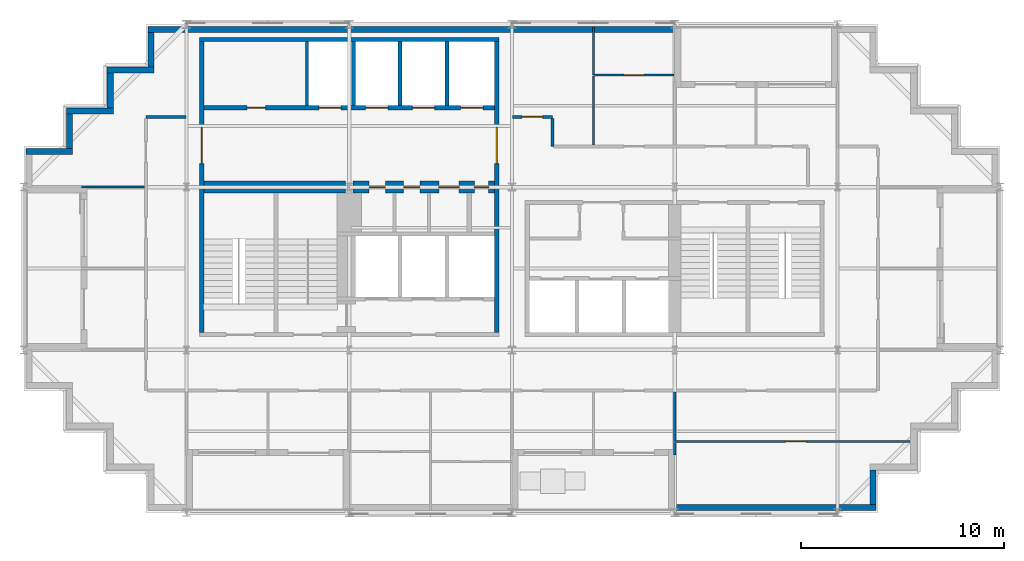
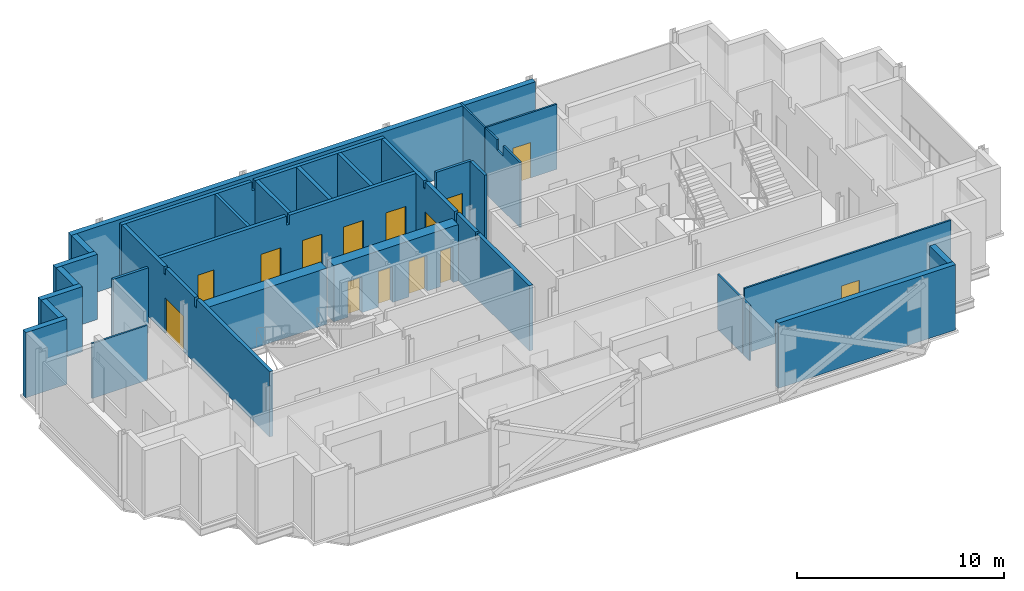
# One storey, part 6 of 10: 29 walls, 14 doors, 14 openings.
"""IFC4 building model written with IfcOpenShell, lengths in metres."""

from ifc_helpers import new_model, si_unit, direction, frame, frame_2d, origin, place, context, subcontext, project, spatial, polyline, rectangle, outline, extrude, material, layer, layer_set, type_object, element, fill, save


model = new_model("IFC4")

# Units and contexts
model_context = context("Model", 3, precision=1e-05, world=origin(), true_north=direction((0.0, 1.0)))
body_context = subcontext(model_context, "Body", "Model", "MODEL_VIEW")
ifc_project = project(units=[si_unit("LENGTHUNIT", "METRE"), si_unit("AREAUNIT", "SQUARE_METRE"), si_unit("VOLUMEUNIT", "CUBIC_METRE"), si_unit("PLANEANGLEUNIT", "RADIAN"), si_unit("MASSUNIT", "GRAM", prefix="KILO")], contexts=[model_context])

# Site, building, storey
site_placement = place(None, origin())
site = spatial("IfcSite", under=ifc_project, at=site_placement, CompositionType="ELEMENT")
building_placement = place(site_placement, origin())
building = spatial("IfcBuilding", under=site, at=building_placement, Name="Immortelle Media Tower", CompositionType="ELEMENT")
storey_placement = place(building_placement, frame((0.0, 0.0, 275.0)))
storey = spatial("IfcBuildingStorey", under=building, at=storey_placement, Name="L60", CompositionType="ELEMENT", Elevation=275.0)

# Wall, openings, doors
ifc_material_1 = material(Name="Fire-rated masonry blockwork", Category="masonry")
ifc_layer_1 = layer(ifc_material_1, 0.60009765625)
ifc_layer_set_1 = layer_set([ifc_layer_1], Name="Fire-rated masonry blockwork")
wall_type_1 = type_object("IfcWallType", Name="Core grid-line wall 600", PredefinedType="PARTITIONING", material=ifc_layer_set_1)
wall_1_placement = place(storey_placement, frame((16.19140625, 16.0, 0.0), z_axis=(0.0, 0.0, 1.0), x_axis=(1.0, 0.0, 0.0)))
wall_1 = element("IfcWall", 1, at=wall_1_placement, inside=storey, type_object=wall_type_1, Name="Core grid-line wall SW", PredefinedType="PARTITIONING", context=body_context, shape_type="SweptSolid", body=[
    extrude(rectangle(XDim=6.95849609375, YDim=0.60009765625, at=frame_2d((3.479248046875, 0.0))), origin(), (0.0, 0.0, 1.0), 3.318115234375),
])
opening_1_placement = place(wall_1_placement, frame((1.58349609375, 0.0, 0.0), z_axis=(0.0, 0.0, 1.0), x_axis=(-1.0, 0.0, 0.0)))
opening_1 = element("IfcOpeningElement", 2, at=opening_1_placement, cuts=wall_1, Name="Opening X4-K009", PredefinedType="OPENING", context=body_context, shape_type="SweptSolid", body=[
    extrude(rectangle(XDim=0.800048828125, YDim=2.10009765625, at=frame_2d((0.39990234375, 1.050048828125))), frame((0.0, 0.31005859375, 0.0), z_axis=(0.0, -1.0, 0.0), x_axis=(1.0, 0.0, 0.0)), (0.0, 0.0, 1.0), 0.6201171875),
])
opening_2_placement = place(wall_1_placement, frame((3.283447265625, 0.0, 0.0), z_axis=(0.0, 0.0, 1.0), x_axis=(-1.0, 0.0, 0.0)))
opening_2 = element("IfcOpeningElement", 3, at=opening_2_placement, cuts=wall_1, Name="Opening X4-K010", PredefinedType="OPENING", context=body_context, shape_type="SweptSolid", body=[
    extrude(rectangle(XDim=0.800048828125, YDim=2.10009765625, at=frame_2d((0.39990234375, 1.050048828125))), frame((0.0, 0.31005859375, 0.0), z_axis=(0.0, -1.0, 0.0), x_axis=(1.0, 0.0, 0.0)), (0.0, 0.0, 1.0), 0.6201171875),
])
opening_3_placement = place(wall_1_placement, frame((5.20849609375, 0.0, 0.0), z_axis=(0.0, 0.0, 1.0), x_axis=(-1.0, 0.0, 0.0)))
opening_3 = element("IfcOpeningElement", 4, at=opening_3_placement, cuts=wall_1, Name="Opening X4-K014", PredefinedType="OPENING", context=body_context, shape_type="SweptSolid", body=[
    extrude(rectangle(XDim=1.0, YDim=2.10009765625, at=frame_2d((0.5, 1.050048828125))), frame((0.0, 0.31005859375, 0.0), z_axis=(0.0, -1.0, 0.0), x_axis=(1.0, 0.0, 0.0)), (0.0, 0.0, 1.0), 0.6201171875),
])
opening_4_placement = place(wall_1_placement, frame((6.658447265625, 0.0, 0.0), z_axis=(0.0, 0.0, 1.0), x_axis=(-1.0, 0.0, 0.0)))
opening_4 = element("IfcOpeningElement", 5, at=opening_4_placement, cuts=wall_1, Name="Opening X4-K017", PredefinedType="OPENING", context=body_context, shape_type="SweptSolid", body=[
    extrude(rectangle(XDim=0.699951171875, YDim=2.10009765625, at=frame_2d((0.35009765625, 1.050048828125))), frame((0.0, 0.31005859375, 0.0), z_axis=(0.0, -1.0, 0.0), x_axis=(1.0, 0.0, 0.0)), (0.0, 0.0, 1.0), 0.6201171875),
])
ifc_material_2 = material(Name="Timber", Category="wood")
door_type_1 = type_object("IfcDoorType", Name="Accessible toilet door 1000 x 2100", OperationType="NOTDEFINED", PredefinedType="NOTDEFINED", material=ifc_material_2)
door_1_placement = place(opening_3_placement, origin())
door_1 = element("IfcDoor", 6, at=door_1_placement, inside=storey, type_object=door_type_1, Name="Accessible toilet X4-K014", OperationType="SINGLE_SWING_RIGHT", OverallHeight=2.10009765625, OverallWidth=1.0, PredefinedType="NOTDEFINED", context=body_context, shape_type="SweptSolid", body=[
    extrude(rectangle(XDim=1.0, YDim=2.10009765625, at=frame_2d((0.5, 1.050048828125))), frame((0.0, 0.02490234375, 0.0), z_axis=(0.0, -1.0, 0.0), x_axis=(1.0, 0.0, 0.0)), (0.0, 0.0, 1.0), 0.050048828125),
])
fill(opening_3, door_1)
ifc_material_3 = material(Name="Galvanised steel door leaf and frame ASTM A653", Category="steel")
door_type_2 = type_object("IfcDoorType", Name="Service door 700 x 2100", OperationType="NOTDEFINED", PredefinedType="NOTDEFINED", material=ifc_material_3)
door_2_placement = place(opening_4_placement, origin())
door_2 = element("IfcDoor", 7, at=door_2_placement, inside=storey, type_object=door_type_2, Name="Service X4-K017", OperationType="SINGLE_SWING_LEFT", OverallHeight=2.10009765625, OverallWidth=0.699951171875, PredefinedType="NOTDEFINED", context=body_context, shape_type="SweptSolid", body=[
    extrude(rectangle(XDim=0.699951171875, YDim=2.10009765625, at=frame_2d((0.35009765625, 1.050048828125))), frame((0.0, 0.02490234375, 0.0), z_axis=(0.0, -1.0, 0.0), x_axis=(1.0, 0.0, 0.0)), (0.0, 0.0, 1.0), 0.050048828125),
])
fill(opening_4, door_2)
door_type_3 = type_object("IfcDoorType", Name="Toilet door 800 x 2100", OperationType="NOTDEFINED", PredefinedType="NOTDEFINED", material=ifc_material_2)
door_3_placement = place(opening_1_placement, origin())
door_3 = element("IfcDoor", 8, at=door_3_placement, inside=storey, type_object=door_type_3, Name="Toilet X4-K009", OperationType="SINGLE_SWING_LEFT", OverallHeight=2.10009765625, OverallWidth=0.800048828125, PredefinedType="NOTDEFINED", context=body_context, shape_type="SweptSolid", body=[
    extrude(rectangle(XDim=0.800048828125, YDim=2.10009765625, at=frame_2d((0.39990234375, 1.050048828125))), frame((0.0, 0.02490234375, 0.0), z_axis=(0.0, -1.0, 0.0), x_axis=(1.0, 0.0, 0.0)), (0.0, 0.0, 1.0), 0.050048828125),
])
fill(opening_1, door_3)
door_4_placement = place(opening_2_placement, origin())
door_4 = element("IfcDoor", 9, at=door_4_placement, inside=storey, type_object=door_type_3, Name="Toilet X4-K010", OperationType="SINGLE_SWING_RIGHT", OverallHeight=2.10009765625, OverallWidth=0.800048828125, PredefinedType="NOTDEFINED", context=body_context, shape_type="SweptSolid", body=[
    extrude(rectangle(XDim=0.800048828125, YDim=2.10009765625, at=frame_2d((0.39990234375, 1.050048828125))), frame((0.0, 0.02490234375, 0.0), z_axis=(0.0, -1.0, 0.0), x_axis=(1.0, 0.0, 0.0)), (0.0, 0.0, 1.0), 0.050048828125),
])
fill(opening_2, door_4)

# Walls
ifc_material_4 = material(Name="Fire-rated gypsum board", Category="gypsum")
ifc_layer_2 = layer(ifc_material_4, 0.02490234375)
ifc_material_5 = material(Name="Steel ASTM A653 SS Gr 50 stud frame with mineral wool", Category="steel")
ifc_layer_3 = layer(ifc_material_5, 0.10009765625)
ifc_layer_4 = layer(ifc_material_4, 0.02490234375)
ifc_layer_set_2 = layer_set([ifc_layer_2, ifc_layer_3, ifc_layer_4], Name="Steel ASTM A653 SS Gr 50 stud frame with mineral wool")
wall_type_2 = type_object("IfcWallType", Name="Core partition 150", PredefinedType="PARTITIONING", material=ifc_layer_set_2)
wall_2_placement = place(storey_placement, frame((13.925048828125, 20.0, 0.0), z_axis=(0.0, 0.0, 1.0), x_axis=(0.0, 1.0, 0.0)))
element("IfcWall", 10, at=wall_2_placement, inside=storey, type_object=wall_type_2, Name="Core partition SW", PredefinedType="PARTITIONING", context=body_context, shape_type="SweptSolid", body=[
    extrude(rectangle(XDim=3.14990234375, YDim=0.14990234375, at=frame_2d((1.574951171875, 0.0))), origin(), (0.0, 0.0, 1.0), 3.85009765625),
])
ifc_layer_5 = layer(ifc_material_4, 0.03759765625)
ifc_layer_6 = layer(ifc_material_5, 0.125)
ifc_layer_7 = layer(ifc_material_4, 0.03759765625)
ifc_layer_set_3 = layer_set([ifc_layer_5, ifc_layer_6, ifc_layer_7], Name="Steel ASTM A653 SS Gr 50 stud frame with mineral wool")
wall_type_3 = type_object("IfcWallType", Name="Core shaft wall 200", PredefinedType="PARTITIONING", material=ifc_layer_set_3)
wall_3_placement = place(storey_placement, frame((8.64990234375, 23.25, 0.0), z_axis=(0.0, 0.0, 1.0), x_axis=(1.0, 0.0, 0.0)))
element("IfcWall", 11, at=wall_3_placement, inside=storey, type_object=wall_type_3, Name="Core shaft wall SW", PredefinedType="PARTITIONING", context=body_context, shape_type="SweptSolid", body=[
    extrude(outline(polyline([(0.0, 0.0), (14.7001953125, 0.0), (14.699951171875, 3.85009765625), (7.4375, 3.85009765625), (7.4365234375, 3.318115234375), (7.263427734375, 3.318115234375), (7.262451171875, 3.85009765625), (0.0, 3.85009765625), (0.0, 0.0)])), frame((0.0, 0.10009765625, 0.0), z_axis=(0.0, -1.0, 0.0), x_axis=(1.0, 0.0, 0.0)), (0.0, 0.0, 1.0), 0.199951171875),
])

# Wall, openings, doors
wall_4_placement = place(storey_placement, frame((8.85009765625, 19.89990234375, 0.0), z_axis=(0.0, 0.0, 1.0), x_axis=(1.0, 0.0, 0.0)))
wall_4 = element("IfcWall", 12, at=wall_4_placement, inside=storey, type_object=wall_type_3, Name="Core shaft wall SW", PredefinedType="PARTITIONING", context=body_context, shape_type="SweptSolid", body=[
    extrude(outline(polyline([(0.0, 0.0), (14.2998046875, 0.0), (14.300048828125, 3.85009765625), (7.237548828125, 3.85009765625), (7.236572265625, 3.318115234375), (7.0634765625, 3.318115234375), (7.0625, 3.85009765625), (0.0, 3.85009765625), (0.0, 0.0)])), frame((0.0, 0.10009765625, 0.0), z_axis=(0.0, -1.0, 0.0), x_axis=(1.0, 0.0, 0.0)), (0.0, 0.0, 1.0), 0.199951171875),
])
opening_5_placement = place(wall_4_placement, frame((2.125, 0.0, 0.0)))
opening_5 = element("IfcOpeningElement", 13, at=opening_5_placement, cuts=wall_4, Name="Opening X4-K003", PredefinedType="OPENING", context=body_context, shape_type="SweptSolid", body=[
    extrude(rectangle(XDim=0.89990234375, YDim=2.10009765625, at=frame_2d((0.449951171875, 1.050048828125))), frame((0.0, 0.10986328125, 0.0), z_axis=(0.0, -1.0, 0.0), x_axis=(1.0, 0.0, 0.0)), (0.0, 0.0, 1.0), 0.219970703125),
])
opening_6_placement = place(wall_4_placement, frame((5.64990234375, 0.0, 0.0)))
opening_6 = element("IfcOpeningElement", 14, at=opening_6_placement, cuts=wall_4, Name="Opening LD", PredefinedType="OPENING", context=body_context, shape_type="SweptSolid", body=[
    extrude(rectangle(XDim=1.10009765625, YDim=2.10009765625, at=frame_2d((0.550048828125, 1.050048828125))), frame((0.0, 0.10986328125, 0.0), z_axis=(0.0, -1.0, 0.0), x_axis=(1.0, 0.0, 0.0)), (0.0, 0.0, 1.0), 0.219970703125),
])
opening_7_placement = place(wall_4_placement, frame((7.949951171875, 0.0, 0.0)))
opening_7 = element("IfcOpeningElement", 15, at=opening_7_placement, cuts=wall_4, Name="Opening LD", PredefinedType="OPENING", context=body_context, shape_type="SweptSolid", body=[
    extrude(rectangle(XDim=1.10009765625, YDim=2.10009765625, at=frame_2d((0.550048828125, 1.050048828125))), frame((0.0, 0.10986328125, 0.0), z_axis=(0.0, -1.0, 0.0), x_axis=(1.0, 0.0, 0.0)), (0.0, 0.0, 1.0), 0.219970703125),
])
opening_8_placement = place(wall_4_placement, frame((10.25, 0.0, 0.0)))
opening_8 = element("IfcOpeningElement", 16, at=opening_8_placement, cuts=wall_4, Name="Opening LD", PredefinedType="OPENING", context=body_context, shape_type="SweptSolid", body=[
    extrude(rectangle(XDim=1.10009765625, YDim=2.10009765625, at=frame_2d((0.550048828125, 1.050048828125))), frame((0.0, 0.10986328125, 0.0), z_axis=(0.0, -1.0, 0.0), x_axis=(1.0, 0.0, 0.0)), (0.0, 0.0, 1.0), 0.219970703125),
])
opening_9_placement = place(wall_4_placement, frame((12.625, 0.0, 0.0)))
opening_9 = element("IfcOpeningElement", 17, at=opening_9_placement, cuts=wall_4, Name="Opening LD", PredefinedType="OPENING", context=body_context, shape_type="SweptSolid", body=[
    extrude(rectangle(XDim=1.10009765625, YDim=2.10009765625, at=frame_2d((0.550048828125, 1.050048828125))), frame((0.0, 0.10986328125, 0.0), z_axis=(0.0, -1.0, 0.0), x_axis=(1.0, 0.0, 0.0)), (0.0, 0.0, 1.0), 0.219970703125),
])
ifc_material_6 = material(Name="Stainless steel AISI 304", Category="steel")
door_type_4 = type_object("IfcDoorType", Name="Landing door 1100 x 2100", OperationType="SLIDING_TO_LEFT", PredefinedType="NOTDEFINED", material=ifc_material_6)
door_5_placement = place(opening_6_placement, origin())
door_5 = element("IfcDoor", 18, at=door_5_placement, inside=storey, type_object=door_type_4, Name="Landing door HR1 L60", OperationType="SLIDING_TO_LEFT", OverallHeight=2.10009765625, OverallWidth=1.10009765625, PredefinedType="NOTDEFINED", context=body_context, shape_type="SweptSolid", body=[
    extrude(rectangle(XDim=1.10009765625, YDim=2.10009765625, at=frame_2d((0.550048828125, 1.050048828125))), frame((0.0, 0.02490234375, 0.0), z_axis=(0.0, -1.0, 0.0), x_axis=(1.0, 0.0, 0.0)), (0.0, 0.0, 1.0), 0.050048828125),
])
fill(opening_6, door_5)
door_6_placement = place(opening_7_placement, origin())
door_6 = element("IfcDoor", 19, at=door_6_placement, inside=storey, type_object=door_type_4, Name="Landing door HR2 L60", OperationType="SLIDING_TO_LEFT", OverallHeight=2.10009765625, OverallWidth=1.10009765625, PredefinedType="NOTDEFINED", context=body_context, shape_type="SweptSolid", body=[
    extrude(rectangle(XDim=1.10009765625, YDim=2.10009765625, at=frame_2d((0.550048828125, 1.050048828125))), frame((0.0, 0.02490234375, 0.0), z_axis=(0.0, -1.0, 0.0), x_axis=(1.0, 0.0, 0.0)), (0.0, 0.0, 1.0), 0.050048828125),
])
fill(opening_7, door_6)
door_7_placement = place(opening_8_placement, origin())
door_7 = element("IfcDoor", 20, at=door_7_placement, inside=storey, type_object=door_type_4, Name="Landing door HR3 L60", OperationType="SLIDING_TO_LEFT", OverallHeight=2.10009765625, OverallWidth=1.10009765625, PredefinedType="NOTDEFINED", context=body_context, shape_type="SweptSolid", body=[
    extrude(rectangle(XDim=1.10009765625, YDim=2.10009765625, at=frame_2d((0.550048828125, 1.050048828125))), frame((0.0, 0.02490234375, 0.0), z_axis=(0.0, -1.0, 0.0), x_axis=(1.0, 0.0, 0.0)), (0.0, 0.0, 1.0), 0.050048828125),
])
fill(opening_8, door_7)
door_8_placement = place(opening_9_placement, origin())
door_8 = element("IfcDoor", 21, at=door_8_placement, inside=storey, type_object=door_type_4, Name="Landing door HR4 L60", OperationType="SLIDING_TO_LEFT", OverallHeight=2.10009765625, OverallWidth=1.10009765625, PredefinedType="NOTDEFINED", context=body_context, shape_type="SweptSolid", body=[
    extrude(rectangle(XDim=1.10009765625, YDim=2.10009765625, at=frame_2d((0.550048828125, 1.050048828125))), frame((0.0, 0.02490234375, 0.0), z_axis=(0.0, -1.0, 0.0), x_axis=(1.0, 0.0, 0.0)), (0.0, 0.0, 1.0), 0.050048828125),
])
fill(opening_9, door_8)
door_type_5 = type_object("IfcDoorType", Name="Room door 900 x 2100", OperationType="NOTDEFINED", PredefinedType="NOTDEFINED", material=ifc_material_2)
door_9_placement = place(opening_5_placement, origin())
door_9 = element("IfcDoor", 22, at=door_9_placement, inside=storey, type_object=door_type_5, Name="Room X4-K003", OperationType="SINGLE_SWING_RIGHT", OverallHeight=2.10009765625, OverallWidth=0.89990234375, PredefinedType="NOTDEFINED", context=body_context, shape_type="SweptSolid", body=[
    extrude(rectangle(XDim=0.89990234375, YDim=2.10009765625, at=frame_2d((0.449951171875, 1.050048828125))), frame((0.0, 0.02490234375, 0.0), z_axis=(0.0, -1.0, 0.0), x_axis=(1.0, 0.0, 0.0)), (0.0, 0.0, 1.0), 0.050048828125),
])
fill(opening_5, door_9)

# Walls
for number, where, z_axis, x_axis, name in (
    (23, (16.199951171875, 20.0, 0.0), (0.0, 0.0, 1.0), (0.0, 1.0, 0.0), "Core shaft wall SW"),
    (24, (18.5, 20.0, 0.0), (0.0, 0.0, 1.0), (0.0, 1.0, 0.0), "Core shaft wall SW"),
    (25, (20.800048828125, 20.0, 0.0), (0.0, 0.0, 1.0), (0.0, 1.0, 0.0), "Core shaft wall SW"),
):
    element("IfcWall", number, at=place(storey_placement, frame(where, z_axis=z_axis, x_axis=x_axis)), inside=storey, type_object=wall_type_3, Name=name, PredefinedType="PARTITIONING", context=body_context, shape_type="SweptSolid", body=[
        extrude(rectangle(XDim=3.14990234375, YDim=0.199951171875, at=frame_2d((1.574951171875, 0.0))), origin(), (0.0, 0.0, 1.0), 3.85009765625),
    ])

# Wall, opening, door
wall_5_placement = place(storey_placement, frame((23.25, 8.85009765625, 0.0), z_axis=(0.0, 0.0, 1.0), x_axis=(0.0, 1.0, 0.0)))
wall_5 = element("IfcWall", 26, at=wall_5_placement, inside=storey, type_object=wall_type_3, Name="Core shaft wall SW", PredefinedType="PARTITIONING", context=body_context, shape_type="SweptSolid", body=[
    extrude(outline(polyline([(0.0, 0.0), (14.2998046875, 0.0), (14.300048828125, 3.85009765625), (10.22509765625, 3.85009765625), (10.22412109375, 3.43994140625), (10.075927734375, 3.43994140625), (10.074951171875, 3.85009765625), (7.237548828125, 3.85009765625), (7.236572265625, 3.318115234375), (7.0634765625, 3.318115234375), (7.0625, 3.85009765625), (5.22509765625, 3.85009765625), (5.22412109375, 3.43994140625), (5.075927734375, 3.43994140625), (5.074951171875, 3.85009765625), (0.0, 3.85009765625), (0.0, 0.0)])), frame((0.0, 0.10009765625, 0.0), z_axis=(0.0, -1.0, 0.0), x_axis=(1.0, 0.0, 0.0)), (0.0, 0.0, 1.0), 0.199951171875),
])
opening_10_placement = place(wall_5_placement, frame((8.300048828125, 0.0, 0.0)))
opening_10 = element("IfcOpeningElement", 27, at=opening_10_placement, cuts=wall_5, Name="Opening X4-K018", PredefinedType="OPENING", context=body_context, shape_type="SweptSolid", body=[
    extrude(rectangle(XDim=1.800048828125, YDim=2.10009765625, at=frame_2d((0.89990234375, 1.050048828125))), frame((0.0, 0.10986328125, 0.0), z_axis=(0.0, -1.0, 0.0), x_axis=(1.0, 0.0, 0.0)), (0.0, 0.0, 1.0), 0.219970703125),
])
door_type_6 = type_object("IfcDoorType", Name="Lift lobby door 1800 x 2100", OperationType="DOUBLE_DOOR_SINGLE_SWING", PredefinedType="NOTDEFINED", material=ifc_material_3)
door_10_placement = place(opening_10_placement, origin())
door_10 = element("IfcDoor", 28, at=door_10_placement, inside=storey, type_object=door_type_6, Name="Lift lobby X4-K018", OperationType="DOUBLE_DOOR_SINGLE_SWING", OverallHeight=2.10009765625, OverallWidth=1.800048828125, PredefinedType="NOTDEFINED", context=body_context, shape_type="SweptSolid", body=[
    extrude(rectangle(XDim=1.800048828125, YDim=2.10009765625, at=frame_2d((0.89990234375, 1.050048828125))), frame((0.0, 0.02490234375, 0.0), z_axis=(0.0, -1.0, 0.0), x_axis=(1.0, 0.0, 0.0)), (0.0, 0.0, 1.0), 0.050048828125),
])
fill(opening_10, door_10)

# Walls
ifc_layer_8 = layer(ifc_material_4, 0.012451171875)
ifc_layer_9 = layer(ifc_material_5, 0.125)
ifc_layer_10 = layer(ifc_material_4, 0.012451171875)
ifc_layer_set_4 = layer_set([ifc_layer_8, ifc_layer_9, ifc_layer_10], Name="Steel ASTM A653 SS Gr 50 stud frame with mineral wool")
wall_type_4 = type_object("IfcWallType", Name="Corridor wall 150", PredefinedType="PARTITIONING", material=ifc_layer_set_4)
wall_6_placement = place(storey_placement, frame((26.0, 18.0, 0.0), z_axis=(0.0, 0.0, 1.0), x_axis=(0.0, 1.0, 0.0)))
element("IfcWall", 29, at=wall_6_placement, inside=storey, type_object=wall_type_4, Name="Partition L60-026", PredefinedType="PARTITIONING", context=body_context, shape_type="SweptSolid", body=[
    extrude(rectangle(XDim=1.375, YDim=0.14990234375, at=frame_2d((0.6875, 0.0))), origin(), (0.0, 0.0, 1.0), 3.85009765625),
])
wall_7_placement = place(storey_placement, frame((6.0, 19.449951171875, 0.0), z_axis=(0.0, 0.0, 1.0), x_axis=(1.0, 0.0, 0.0)))
element("IfcWall", 30, at=wall_7_placement, inside=storey, type_object=wall_type_4, Name="Partition L60-032", PredefinedType="PARTITIONING", context=body_context, shape_type="SweptSolid", body=[
    extrude(rectangle(XDim=1.969970703125, YDim=0.14990234375, at=frame_2d((0.98486328125, 0.0))), origin(), (0.0, 0.0, 1.0), 3.85009765625),
])

# Wall, opening, door
wall_8_placement = place(storey_placement, frame((24.030029296875, 19.449951171875, 0.0), z_axis=(0.0, 0.0, 1.0), x_axis=(1.0, 0.0, 0.0)))
wall_8 = element("IfcWall", 31, at=wall_8_placement, inside=storey, type_object=wall_type_4, Name="Partition L60-033", PredefinedType="PARTITIONING", context=body_context, shape_type="SweptSolid", body=[
    extrude(rectangle(XDim=1.969970703125, YDim=0.14990234375, at=frame_2d((0.98486328125, 0.0))), origin(), (0.0, 0.0, 1.0), 3.85009765625),
])
opening_11_placement = place(wall_8_placement, frame((0.469970703125, 0.0, 0.0)))
opening_11 = element("IfcOpeningElement", 32, at=opening_11_placement, cuts=wall_8, Name="Opening X4-F020", PredefinedType="OPENING", context=body_context, shape_type="SweptSolid", body=[
    extrude(rectangle(XDim=1.0, YDim=2.10009765625, at=frame_2d((0.5, 1.050048828125))), frame((0.0, 0.0849609375, 0.0), z_axis=(0.0, -1.0, 0.0), x_axis=(1.0, 0.0, 0.0)), (0.0, 0.0, 1.0), 0.169921875),
])
ifc_material_7 = material(Name="Timber veneered door leaf, galvanised steel frame ASTM A653", Category="steel")
door_type_7 = type_object("IfcDoorType", Name="Room door 1000 x 2100", OperationType="NOTDEFINED", PredefinedType="DOOR", material=ifc_material_7)
door_11_placement = place(opening_11_placement, origin())
door_11 = element("IfcDoor", 33, at=door_11_placement, inside=storey, type_object=door_type_7, Name="Door X4-F020", OperationType="SINGLE_SWING_LEFT", OverallHeight=2.10009765625, OverallWidth=1.0, PredefinedType="DOOR", context=body_context, shape_type="SweptSolid", body=[
    extrude(rectangle(XDim=1.0, YDim=2.10009765625, at=frame_2d((0.5, 1.050048828125))), frame((0.0, 0.02490234375, 0.0), z_axis=(0.0, -1.0, 0.0), x_axis=(1.0, 0.0, 0.0)), (0.0, 0.0, 1.0), 0.050048828125),
])
fill(opening_11, door_11)

# Walls
ifc_material_8 = material(Name="Pale aluminium cladding panel", Category="aluminium")
ifc_layer_11 = layer(ifc_material_8, 0.030029296875)
ifc_layer_12 = layer(ifc_material_5, 0.257568359375)
ifc_material_9 = material(Name="Moisture-resistant gypsum board", Category="gypsum")
ifc_layer_13 = layer(ifc_material_9, 0.012451171875)
ifc_layer_set_5 = layer_set([ifc_layer_11, ifc_layer_12, ifc_layer_13], Name="Steel ASTM A653 SS Gr 50 stud frame with mineral wool")
wall_type_5 = type_object("IfcWallType", Name="Facade wall 300", PredefinedType="SOLIDWALL", material=ifc_layer_set_5)
wall_9_placement = place(storey_placement, frame((32.0, 0.25, 0.0), z_axis=(0.0, 0.0, 1.0), x_axis=(1.0, 0.0, 0.0)))
element("IfcWall", 34, at=wall_9_placement, inside=storey, type_object=wall_type_5, Name="Facade wall L60 S6", PredefinedType="SOLIDWALL", context=body_context, shape_type="SweptSolid", body=[
    extrude(rectangle(XDim=9.89990234375, YDim=0.300048828125, at=frame_2d((4.949951171875, 0.0))), origin(), (0.0, 0.0, 1.0), 3.85009765625),
])
wall_10_placement = place(storey_placement, frame((41.75, 0.39990234375, 0.0), z_axis=(0.0, 0.0, 1.0), x_axis=(0.0, 1.0, 0.0)))
element("IfcWall", 35, at=wall_10_placement, inside=storey, type_object=wall_type_5, Name="Facade wall L60 E7", PredefinedType="SOLIDWALL", context=body_context, shape_type="SweptSolid", body=[
    extrude(rectangle(XDim=1.7001953125, YDim=0.300048828125, at=frame_2d((0.85009765625, 0.0))), origin(), (0.0, 0.0, 1.0), 3.85009765625),
])
wall_11_placement = place(storey_placement, frame((32.0, 23.75, 0.0), z_axis=(0.0, 0.0, 1.0), x_axis=(-1.0, 0.0, 0.0)))
element("IfcWall", 36, at=wall_11_placement, inside=storey, type_object=wall_type_5, Name="Facade wall L60 N20", PredefinedType="SOLIDWALL", context=body_context, shape_type="SweptSolid", body=[
    extrude(rectangle(XDim=25.89990234375, YDim=0.300048828125, at=frame_2d((12.949951171875, 0.0))), origin(), (0.0, 0.0, 1.0), 3.85009765625),
])
wall_12_placement = place(storey_placement, frame((6.25, 23.60009765625, 0.0), z_axis=(0.0, 0.0, 1.0), x_axis=(0.0, -1.0, 0.0)))
element("IfcWall", 37, at=wall_12_placement, inside=storey, type_object=wall_type_5, Name="Facade wall L60 W21", PredefinedType="SOLIDWALL", context=body_context, shape_type="SweptSolid", body=[
    extrude(rectangle(XDim=1.7001953125, YDim=0.300048828125, at=frame_2d((0.85009765625, 0.0))), origin(), (0.0, 0.0, 1.0), 3.85009765625),
])
wall_13_placement = place(storey_placement, frame((6.39990234375, 21.75, 0.0), z_axis=(0.0, 0.0, 1.0), x_axis=(-1.0, 0.0, 0.0)))
element("IfcWall", 38, at=wall_13_placement, inside=storey, type_object=wall_type_5, Name="Facade wall L60 N22", PredefinedType="SOLIDWALL", context=body_context, shape_type="SweptSolid", body=[
    extrude(rectangle(XDim=2.2998046875, YDim=0.300048828125, at=frame_2d((1.14990234375, 0.0))), origin(), (0.0, 0.0, 1.0), 3.85009765625),
])
wall_14_placement = place(storey_placement, frame((4.25, 21.60009765625, 0.0), z_axis=(0.0, 0.0, 1.0), x_axis=(0.0, -1.0, 0.0)))
element("IfcWall", 39, at=wall_14_placement, inside=storey, type_object=wall_type_5, Name="Facade wall L60 W23", PredefinedType="SOLIDWALL", context=body_context, shape_type="SweptSolid", body=[
    extrude(rectangle(XDim=1.7001953125, YDim=0.300048828125, at=frame_2d((0.85009765625, 0.0))), origin(), (0.0, 0.0, 1.0), 3.85009765625),
])
wall_15_placement = place(storey_placement, frame((4.39990234375, 19.75, 0.0), z_axis=(0.0, 0.0, 1.0), x_axis=(-1.0, 0.0, 0.0)))
element("IfcWall", 40, at=wall_15_placement, inside=storey, type_object=wall_type_5, Name="Facade wall L60 N24", PredefinedType="SOLIDWALL", context=body_context, shape_type="SweptSolid", body=[
    extrude(rectangle(XDim=2.2998046875, YDim=0.300048828125, at=frame_2d((1.14990234375, 0.0))), origin(), (0.0, 0.0, 1.0), 3.85009765625),
])
wall_16_placement = place(storey_placement, frame((2.25, 19.60009765625, 0.0), z_axis=(0.0, 0.0, 1.0), x_axis=(0.0, -1.0, 0.0)))
element("IfcWall", 41, at=wall_16_placement, inside=storey, type_object=wall_type_5, Name="Facade wall L60 W25", PredefinedType="SOLIDWALL", context=body_context, shape_type="SweptSolid", body=[
    extrude(rectangle(XDim=1.7001953125, YDim=0.300048828125, at=frame_2d((0.85009765625, 0.0))), origin(), (0.0, 0.0, 1.0), 3.85009765625),
])
wall_17_placement = place(storey_placement, frame((2.39990234375, 17.75, 0.0), z_axis=(0.0, 0.0, 1.0), x_axis=(-1.0, 0.0, 0.0)))
element("IfcWall", 42, at=wall_17_placement, inside=storey, type_object=wall_type_5, Name="Facade wall L60 N26", PredefinedType="SOLIDWALL", context=body_context, shape_type="SweptSolid", body=[
    extrude(rectangle(XDim=2.2998046875, YDim=0.300048828125, at=frame_2d((1.14990234375, 0.0))), origin(), (0.0, 0.0, 1.0), 3.85009765625),
])
ifc_material_10 = material(Name="Gypsum board", Category="gypsum")
ifc_layer_14 = layer(ifc_material_10, 0.012451171875)
ifc_layer_15 = layer(ifc_material_5, 0.074951171875)
ifc_layer_16 = layer(ifc_material_10, 0.012451171875)
ifc_layer_set_6 = layer_set([ifc_layer_14, ifc_layer_15, ifc_layer_16], Name="Steel ASTM A653 SS Gr 50 stud frame with mineral wool")
wall_type_6 = type_object("IfcWallType", Name="Partition 100", PredefinedType="PARTITIONING", material=ifc_layer_set_6)
wall_18_placement = place(storey_placement, frame((32.0, 2.830078125, 0.0), z_axis=(0.0, 0.0, 1.0), x_axis=(0.0, 1.0, 0.0)))
element("IfcWall", 43, at=wall_18_placement, inside=storey, type_object=wall_type_6, Name="Partition L60-008", PredefinedType="PARTITIONING", context=body_context, shape_type="SweptSolid", body=[
    extrude(rectangle(XDim=0.619873046875, YDim=0.10009765625, at=frame_2d((0.31005859375, 0.0))), origin(), (0.0, 0.0, 1.0), 3.238037109375),
])

# Wall, opening, door
wall_19_placement = place(storey_placement, frame((32.050048828125, 3.5, 0.0), z_axis=(0.0, 0.0, 1.0), x_axis=(1.0, 0.0, 0.0)))
wall_19 = element("IfcWall", 44, at=wall_19_placement, inside=storey, type_object=wall_type_6, Name="Partition L60-012", PredefinedType="PARTITIONING", context=body_context, shape_type="SweptSolid", body=[
    extrude(rectangle(XDim=11.52001953125, YDim=0.10009765625, at=frame_2d((5.760009765625, 0.0))), origin(), (0.0, 0.0, 1.0), 3.85009765625),
])
opening_12_placement = place(wall_19_placement, frame((5.39990234375, 0.0, 0.0)))
opening_12 = element("IfcOpeningElement", 45, at=opening_12_placement, cuts=wall_19, Name="Opening X4-F006", PredefinedType="OPENING", context=body_context, shape_type="SweptSolid", body=[
    extrude(rectangle(XDim=1.0, YDim=2.10009765625, at=frame_2d((0.5, 1.050048828125))), frame((0.0, 0.06005859375, 0.0), z_axis=(0.0, -1.0, 0.0), x_axis=(1.0, 0.0, 0.0)), (0.0, 0.0, 1.0), 0.1201171875),
])
door_12_placement = place(opening_12_placement, origin())
door_12 = element("IfcDoor", 46, at=door_12_placement, inside=storey, type_object=door_type_7, Name="Door X4-F006", OperationType="SINGLE_SWING_LEFT", OverallHeight=2.10009765625, OverallWidth=1.0, PredefinedType="DOOR", context=body_context, shape_type="SweptSolid", body=[
    extrude(rectangle(XDim=1.0, YDim=2.10009765625, at=frame_2d((0.5, 1.050048828125))), frame((0.0, 0.02490234375, 0.0), z_axis=(0.0, -1.0, 0.0), x_axis=(1.0, 0.0, 0.0)), (0.0, 0.0, 1.0), 0.050048828125),
])
fill(opening_12, door_12)

# Walls
wall_20_placement = place(storey_placement, frame((32.0, 3.5, 0.0), z_axis=(0.0, 0.0, 1.0), x_axis=(0.0, 1.0, 0.0)))
element("IfcWall", 47, at=wall_20_placement, inside=storey, type_object=wall_type_6, Name="Partition L60-013", PredefinedType="PARTITIONING", context=body_context, shape_type="SweptSolid", body=[
    extrude(rectangle(XDim=2.425048828125, YDim=0.10009765625, at=frame_2d((1.21240234375, 0.0))), origin(), (0.0, 0.0, 1.0), 3.238037109375),
])
wall_21_placement = place(storey_placement, frame((2.830078125, 16.0, 0.0), z_axis=(0.0, 0.0, 1.0), x_axis=(1.0, 0.0, 0.0)))
element("IfcWall", 48, at=wall_21_placement, inside=storey, type_object=wall_type_6, Name="Partition L60-021", PredefinedType="PARTITIONING", context=body_context, shape_type="SweptSolid", body=[
    extrude(rectangle(XDim=3.094970703125, YDim=0.10009765625, at=frame_2d((1.54736328125, 0.0))), origin(), (0.0, 0.0, 1.0), 3.238037109375),
])
wall_22_placement = place(storey_placement, frame((28.0, 18.074951171875, 0.0), z_axis=(0.0, 0.0, 1.0), x_axis=(0.0, 1.0, 0.0)))
element("IfcWall", 49, at=wall_22_placement, inside=storey, type_object=wall_type_6, Name="Partition L60-027", PredefinedType="PARTITIONING", context=body_context, shape_type="SweptSolid", body=[
    extrude(outline(polyline([(0.0, 0.0), (3.375, 0.0), (3.375, 3.85009765625), (2.22509765625, 3.85009765625), (2.222900390625, 3.238037109375), (1.626953125, 3.238037109375), (1.625, 3.85009765625), (0.0, 3.85009765625), (0.0, 0.0)])), frame((0.0, 0.050048828125, 0.0), z_axis=(0.0, -1.0, 0.0), x_axis=(1.0, 0.0, 0.0)), (0.0, 0.0, 1.0), 0.10009765625),
])

# Wall, opening, door
wall_23_placement = place(storey_placement, frame((28.050048828125, 21.5, 0.0), z_axis=(0.0, 0.0, 1.0), x_axis=(1.0, 0.0, 0.0)))
wall_23 = element("IfcWall", 50, at=wall_23_placement, inside=storey, type_object=wall_type_6, Name="Partition L60-034", PredefinedType="PARTITIONING", context=body_context, shape_type="SweptSolid", body=[
    extrude(rectangle(XDim=3.919921875, YDim=0.10009765625, at=frame_2d((1.9599609375, 0.0))), origin(), (0.0, 0.0, 1.0), 3.85009765625),
])
opening_13_placement = place(wall_23_placement, frame((1.449951171875, 0.0, 0.0)))
opening_13 = element("IfcOpeningElement", 51, at=opening_13_placement, cuts=wall_23, Name="Opening X4-F022", PredefinedType="OPENING", context=body_context, shape_type="SweptSolid", body=[
    extrude(rectangle(XDim=1.0, YDim=2.10009765625, at=frame_2d((0.5, 1.050048828125))), frame((0.0, 0.06005859375, 0.0), z_axis=(0.0, -1.0, 0.0), x_axis=(1.0, 0.0, 0.0)), (0.0, 0.0, 1.0), 0.1201171875),
])
door_13_placement = place(opening_13_placement, origin())
door_13 = element("IfcDoor", 52, at=door_13_placement, inside=storey, type_object=door_type_7, Name="Door X4-F022", OperationType="SINGLE_SWING_LEFT", OverallHeight=2.10009765625, OverallWidth=1.0, PredefinedType="DOOR", context=body_context, shape_type="SweptSolid", body=[
    extrude(rectangle(XDim=1.0, YDim=2.10009765625, at=frame_2d((0.5, 1.050048828125))), frame((0.0, 0.02490234375, 0.0), z_axis=(0.0, -1.0, 0.0), x_axis=(1.0, 0.0, 0.0)), (0.0, 0.0, 1.0), 0.050048828125),
])
fill(opening_13, door_13)

# Wall
wall_24_placement = place(storey_placement, frame((28.0, 21.5, 0.0), z_axis=(0.0, 0.0, 1.0), x_axis=(0.0, 1.0, 0.0)))
element("IfcWall", 53, at=wall_24_placement, inside=storey, type_object=wall_type_6, Name="Partition L60-035", PredefinedType="PARTITIONING", context=body_context, shape_type="SweptSolid", body=[
    extrude(rectangle(XDim=2.3701171875, YDim=0.10009765625, at=frame_2d((1.18505859375, 0.0))), origin(), (0.0, 0.0, 1.0), 3.85009765625),
])

# Wall, opening, door
ifc_material_11 = material(Name="Concrete C60", Category="concrete")
ifc_layer_17 = layer(ifc_material_11, 0.199951171875)
ifc_layer_set_7 = layer_set([ifc_layer_17], Name="Concrete C60")
wall_type_7 = type_object("IfcWallType", Name="Stair shaft wall 200", PredefinedType="PARTITIONING", material=ifc_layer_set_7)
wall_25_placement = place(storey_placement, frame((8.75, 8.85009765625, 0.0), z_axis=(0.0, 0.0, 1.0), x_axis=(0.0, 1.0, 0.0)))
wall_25 = element("IfcWall", 54, at=wall_25_placement, inside=storey, type_object=wall_type_7, Name="Stair shaft wall SW", PredefinedType="PARTITIONING", context=body_context, shape_type="SweptSolid", body=[
    extrude(outline(polyline([(0.0, 0.0), (14.2998046875, 0.0), (14.300048828125, 3.85009765625), (10.22509765625, 3.85009765625), (10.22412109375, 3.43994140625), (10.075927734375, 3.43994140625), (10.074951171875, 3.85009765625), (7.237548828125, 3.85009765625), (7.236572265625, 3.318115234375), (7.0634765625, 3.318115234375), (7.0625, 3.85009765625), (0.0, 3.85009765625), (0.0, 0.0)])), frame((0.0, 0.10009765625, 0.0), z_axis=(0.0, -1.0, 0.0), x_axis=(1.0, 0.0, 0.0)), (0.0, 0.0, 1.0), 0.199951171875),
])
opening_14_placement = place(wall_25_placement, frame((8.300048828125, 0.0, 0.0)))
opening_14 = element("IfcOpeningElement", 55, at=opening_14_placement, cuts=wall_25, Name="Opening X4-K001", PredefinedType="OPENING", context=body_context, shape_type="SweptSolid", body=[
    extrude(rectangle(XDim=1.800048828125, YDim=2.10009765625, at=frame_2d((0.89990234375, 1.050048828125))), frame((0.0, 0.10986328125, 0.0), z_axis=(0.0, -1.0, 0.0), x_axis=(1.0, 0.0, 0.0)), (0.0, 0.0, 1.0), 0.219970703125),
])
door_14_placement = place(opening_14_placement, origin())
door_14 = element("IfcDoor", 56, at=door_14_placement, inside=storey, type_object=door_type_6, Name="Lift lobby X4-K001", OperationType="DOUBLE_DOOR_SINGLE_SWING", OverallHeight=2.10009765625, OverallWidth=1.800048828125, PredefinedType="NOTDEFINED", context=body_context, shape_type="SweptSolid", body=[
    extrude(rectangle(XDim=1.800048828125, YDim=2.10009765625, at=frame_2d((0.89990234375, 1.050048828125))), frame((0.0, 0.02490234375, 0.0), z_axis=(0.0, -1.0, 0.0), x_axis=(1.0, 0.0, 0.0)), (0.0, 0.0, 1.0), 0.050048828125),
])
fill(opening_14, door_14)

# Wall
ifc_layer_18 = layer(ifc_material_11, 0.60009765625)
ifc_layer_set_8 = layer_set([ifc_layer_18], Name="Concrete C60")
wall_type_8 = type_object("IfcWallType", Name="Stair shaft wall 600", PredefinedType="PARTITIONING", material=ifc_layer_set_8)
wall_26_placement = place(storey_placement, frame((8.85009765625, 16.0, 0.0), z_axis=(0.0, 0.0, 1.0), x_axis=(1.0, 0.0, 0.0)))
element("IfcWall", 57, at=wall_26_placement, inside=storey, type_object=wall_type_8, Name="Stair shaft wall SW", PredefinedType="PARTITIONING", context=body_context, shape_type="SweptSolid", body=[
    extrude(rectangle(XDim=6.95849609375, YDim=0.60009765625, at=frame_2d((3.479248046875, 0.0))), origin(), (0.0, 0.0, 1.0), 3.318115234375),
])

save(model, "model.ifc")
